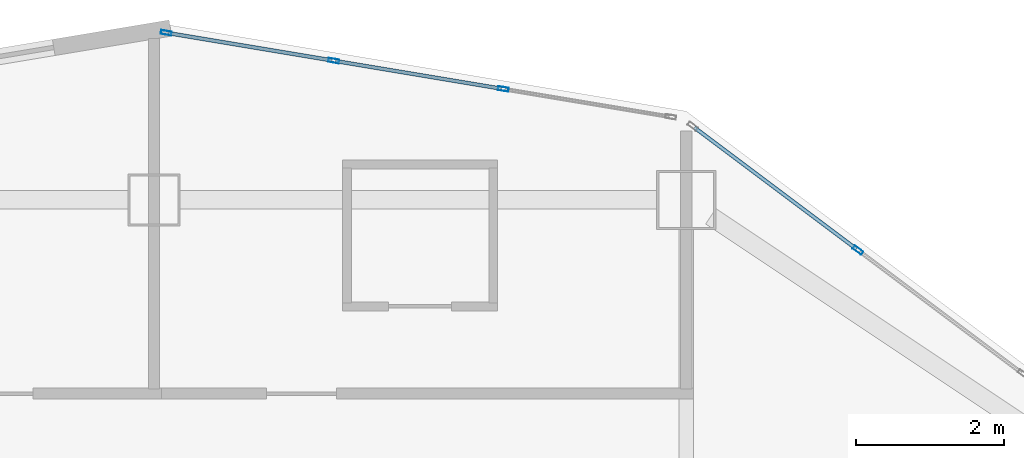
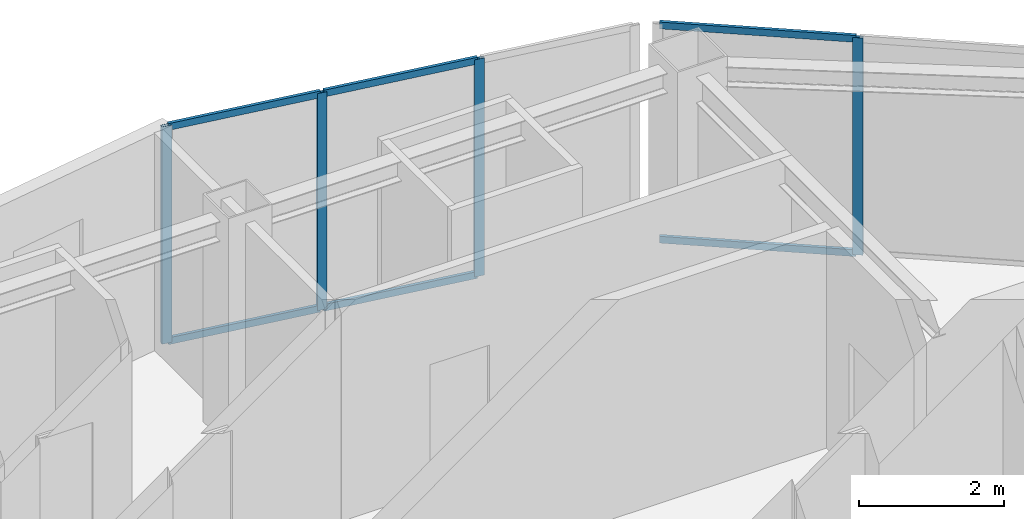
# One storey, part 2 of 10: 10 members, 2 elements without a shape of their own.
"""IFC4 building model written with IfcOpenShell, lengths in metres."""

from ifc_helpers import new_model, si_unit, direction, frame, origin, origin_2d, place, context, subcontext, project, spatial, hollow_rectangle, extrude, material, layer, layer_set, material_profile, profile_set, type_object, element, aggregate, save


model = new_model("IFC4")

# Units and contexts
model_context = context("Model", 3, precision=1e-05, world=origin(), true_north=direction((0.0, 1.0)))
body_context = subcontext(model_context, "Body", "Model", "MODEL_VIEW")
ifc_project = project(units=[si_unit("LENGTHUNIT", "METRE"), si_unit("AREAUNIT", "SQUARE_METRE"), si_unit("VOLUMEUNIT", "CUBIC_METRE"), si_unit("PLANEANGLEUNIT", "RADIAN"), si_unit("MASSUNIT", "GRAM", prefix="KILO")], contexts=[model_context])

# Site, building, storey
site_placement = place(None, origin())
site = spatial("IfcSite", under=ifc_project, at=site_placement, CompositionType="ELEMENT")
building_placement = place(site_placement, origin())
building = spatial("IfcBuilding", under=site, at=building_placement, Name="Haolan Belvedere Tower", CompositionType="ELEMENT")
storey_placement = place(building_placement, frame((0.0, 0.0, 235.199951171875)))
storey = spatial("IfcBuildingStorey", under=building, at=storey_placement, Name="L59", CompositionType="ELEMENT", Elevation=235.199951171875)

# Curtain wall, member
ifc_material_1 = material(Name="Anodised champagne-silver aluminium 6063-T6 and Low-E glass", Category="aluminium")
ifc_layer = layer(ifc_material_1, 0.14501953125, Name="Anodised champagne-silver aluminium 6063-T6 and Low-E glass")
ifc_layer_set = layer_set([ifc_layer], Name="Anodised champagne-silver aluminium 6063-T6 and Low-E glass")
curtain_wall_type = type_object("IfcCurtainWallType", Name="CW-SYS-05", PredefinedType="NOTDEFINED", material=ifc_layer_set)
curtain_wall_1_placement = place(storey_placement, origin())
curtain_wall_1 = element("IfcCurtainWall", 1, at=curtain_wall_1_placement, inside=storey, type_object=curtain_wall_type, Name="L59 CW-SYS-05 ribbon curtain wall 8.1", PredefinedType="NOTDEFINED")
ifc_material_2 = material(Name="Anodised aluminium 6063-T6", Category="aluminium")
ifc_material_profile_1 = material_profile(ifc_material_2, hollow_rectangle(XDim=0.053955078125, YDim=0.14501953125, WallThickness=0.00390625, at=origin_2d()), Name="Anodised aluminium 6063-T6")
ifc_profile_set_1 = profile_set([ifc_material_profile_1], Name="Anodised aluminium 6063-T6")
member_type_1 = type_object("IfcMemberType", Name="CW-SYS-05-MUL", PredefinedType="MULLION", material=ifc_profile_set_1)
member_1_placement = place(storey_placement, frame((47.9228515625, 49.720458984375, 0.0), z_axis=(0.0, 0.0, 1.0), x_axis=(-0.600002837806, -0.799997871638, 0.0)))
member_1 = element("IfcMember", 2, at=member_1_placement, type_object=member_type_1, Name="CW-05 mullion 2", PredefinedType="MULLION", context=body_context, shape_type="SweptSolid", body=[
    extrude(hollow_rectangle(XDim=0.053955078125, YDim=0.14501953125, WallThickness=0.00390625, at=origin_2d()), origin(), (0.0, 0.0, 1.0), 3.670166015625),
])

# Curtain wall, members
curtain_wall_2_placement = place(storey_placement, origin())
curtain_wall_2 = element("IfcCurtainWall", 3, at=curtain_wall_2_placement, inside=storey, type_object=curtain_wall_type, Name="L59 CW-SYS-05 ribbon curtain wall 9.1", PredefinedType="NOTDEFINED")
member_2_placement = place(storey_placement, frame((43.124267578125, 51.901123046875, 0.0), z_axis=(0.0, 0.0, 1.0), x_axis=(-0.164405962825, -0.98639276122, 0.0)))
member_2 = element("IfcMember", 4, at=member_2_placement, type_object=member_type_1, Name="CW-05 mullion 2", PredefinedType="MULLION", context=body_context, shape_type="SweptSolid", body=[
    extrude(hollow_rectangle(XDim=0.053955078125, YDim=0.14501953125, WallThickness=0.00390625, at=origin_2d()), origin(), (0.0, 0.0, 1.0), 3.670166015625),
])
member_3_placement = place(storey_placement, frame((40.831298828125, 52.283203125, 0.0), z_axis=(0.0, 0.0, 1.0), x_axis=(-0.164405962825, -0.98639276122, 0.0)))
member_3 = element("IfcMember", 5, at=member_3_placement, type_object=member_type_1, Name="CW-05 mullion 3", PredefinedType="MULLION", context=body_context, shape_type="SweptSolid", body=[
    extrude(hollow_rectangle(XDim=0.053955078125, YDim=0.14501953125, WallThickness=0.00390625, at=origin_2d()), origin(), (0.0, 0.0, 1.0), 3.670166015625),
])
member_4_placement = place(storey_placement, frame((38.564697265625, 52.6611328125, 0.0), z_axis=(0.0, 0.0, 1.0), x_axis=(-0.164405962825, -0.98639276122, 0.0)))
member_4 = element("IfcMember", 6, at=member_4_placement, type_object=member_type_1, Name="CW-05 mullion 4", PredefinedType="MULLION", context=body_context, shape_type="SweptSolid", body=[
    extrude(hollow_rectangle(XDim=0.053955078125, YDim=0.14501953125, WallThickness=0.00390625, at=origin_2d()), origin(), (0.0, 0.0, 1.0), 3.670166015625),
])

# Member
ifc_material_profile_2 = material_profile(ifc_material_2, hollow_rectangle(XDim=0.050048828125, YDim=0.114990234375, WallThickness=0.00390625, at=origin_2d()), Name="Anodised aluminium 6063-T6")
ifc_profile_set_2 = profile_set([ifc_material_profile_2], Name="Anodised aluminium 6063-T6")
member_type_2 = type_object("IfcMemberType", Name="CW-SYS-05-TRN", PredefinedType="USERDEFINED", material=ifc_profile_set_2)
member_5_placement = place(storey_placement, frame((47.901123046875, 49.736572265625, 0.025146484375), z_axis=(-0.8, 0.6, 0.0), x_axis=(-0.6, -0.8, 0.0)))
member_5 = element("IfcMember", 7, at=member_5_placement, type_object=member_type_2, Name="CW-05 transom 2.1", ObjectType="TRANSOM", PredefinedType="USERDEFINED", context=body_context, shape_type="SweptSolid", body=[
    extrude(hollow_rectangle(XDim=0.050048828125, YDim=0.114990234375, WallThickness=0.00390625, at=origin_2d()), origin(), (0.0, 0.0, 1.0), 2.738037109375),
])

member_6_placement = place(storey_placement, frame((47.901123046875, 49.736572265625, 3.64501953125), z_axis=(-0.8, 0.6, 0.0), x_axis=(-0.6, -0.8, 0.0)))
member_6 = element("IfcMember", 8, at=member_6_placement, type_object=member_type_2, Name="CW-05 transom 2.2", ObjectType="TRANSOM", PredefinedType="USERDEFINED", context=body_context, shape_type="SweptSolid", body=[
    extrude(hollow_rectangle(XDim=0.050048828125, YDim=0.114990234375, WallThickness=0.00390625, at=origin_2d()), origin(), (0.0, 0.0, 1.0), 2.738037109375),
])

aggregate(curtain_wall_1, [member_1, member_5, member_6])

member_7_placement = place(storey_placement, frame((43.09765625, 51.905517578125, 0.025146484375), z_axis=(-0.986393923832, 0.164398987305, 0.0), x_axis=(-0.164398987305, -0.986393923832, 0.0)))
member_7 = element("IfcMember", 9, at=member_7_placement, type_object=member_type_2, Name="CW-05 transom 2.1", ObjectType="TRANSOM", PredefinedType="USERDEFINED", context=body_context, shape_type="SweptSolid", body=[
    extrude(hollow_rectangle(XDim=0.050048828125, YDim=0.114990234375, WallThickness=0.00390625, at=origin_2d()), origin(), (0.0, 0.0, 1.0), 2.270751953125),
])

member_8_placement = place(storey_placement, frame((43.09765625, 51.905517578125, 3.64501953125), z_axis=(-0.986393923832, 0.164398987305, 0.0), x_axis=(-0.164398987305, -0.986393923832, 0.0)))
member_8 = element("IfcMember", 10, at=member_8_placement, type_object=member_type_2, Name="CW-05 transom 2.2", ObjectType="TRANSOM", PredefinedType="USERDEFINED", context=body_context, shape_type="SweptSolid", body=[
    extrude(hollow_rectangle(XDim=0.050048828125, YDim=0.114990234375, WallThickness=0.00390625, at=origin_2d()), origin(), (0.0, 0.0, 1.0), 2.270751953125),
])

member_9_placement = place(storey_placement, frame((40.8046875, 52.287841796875, 0.025146484375), z_axis=(-0.986393923832, 0.164398987305, 0.0), x_axis=(-0.164398987305, -0.986393923832, 0.0)))
member_9 = element("IfcMember", 11, at=member_9_placement, type_object=member_type_2, Name="CW-05 transom 3.1", ObjectType="TRANSOM", PredefinedType="USERDEFINED", context=body_context, shape_type="SweptSolid", body=[
    extrude(hollow_rectangle(XDim=0.050048828125, YDim=0.114990234375, WallThickness=0.00390625, at=origin_2d()), origin(), (0.0, 0.0, 1.0), 2.243896484375),
])

member_10_placement = place(storey_placement, frame((40.8046875, 52.287841796875, 3.64501953125), z_axis=(-0.986393923832, 0.164398987305, 0.0), x_axis=(-0.164398987305, -0.986393923832, 0.0)))
member_10 = element("IfcMember", 12, at=member_10_placement, type_object=member_type_2, Name="CW-05 transom 3.2", ObjectType="TRANSOM", PredefinedType="USERDEFINED", context=body_context, shape_type="SweptSolid", body=[
    extrude(hollow_rectangle(XDim=0.050048828125, YDim=0.114990234375, WallThickness=0.00390625, at=origin_2d()), origin(), (0.0, 0.0, 1.0), 2.243896484375),
])

aggregate(curtain_wall_2, [member_2, member_3, member_4, member_7, member_8, member_9, member_10])

save(model, "model.ifc")
